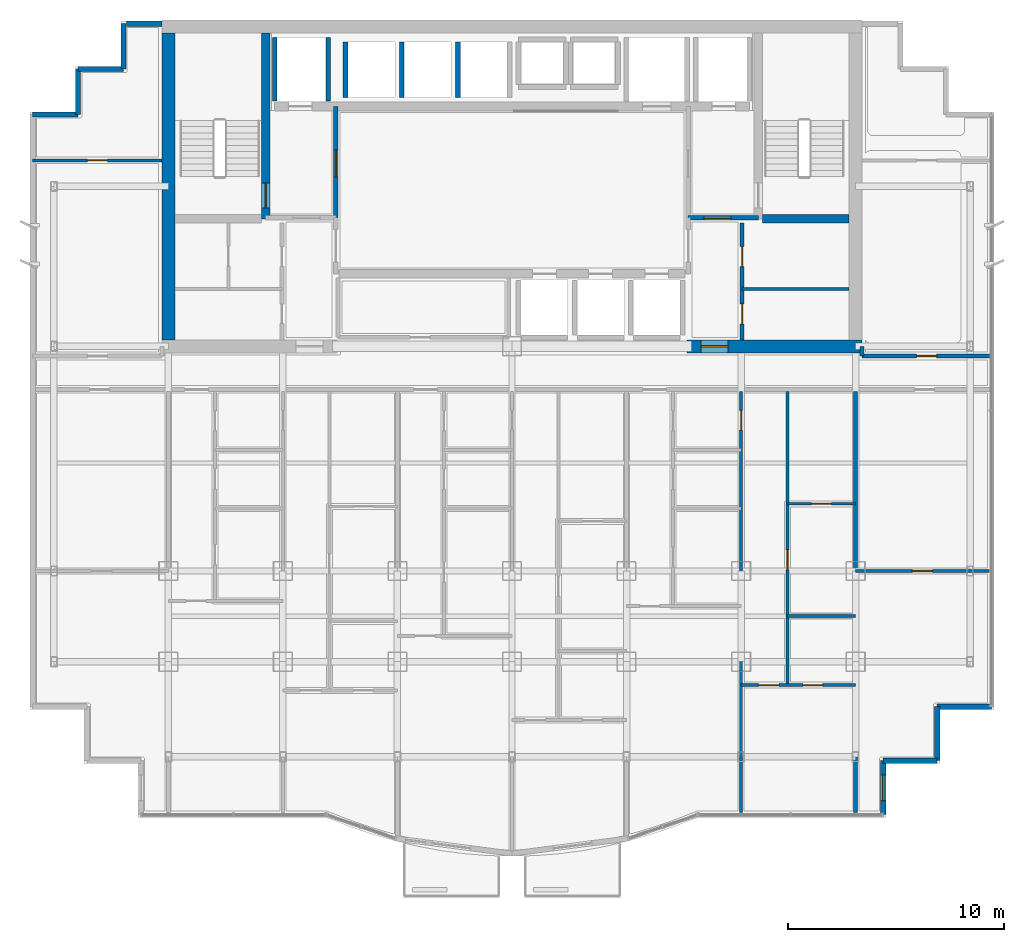
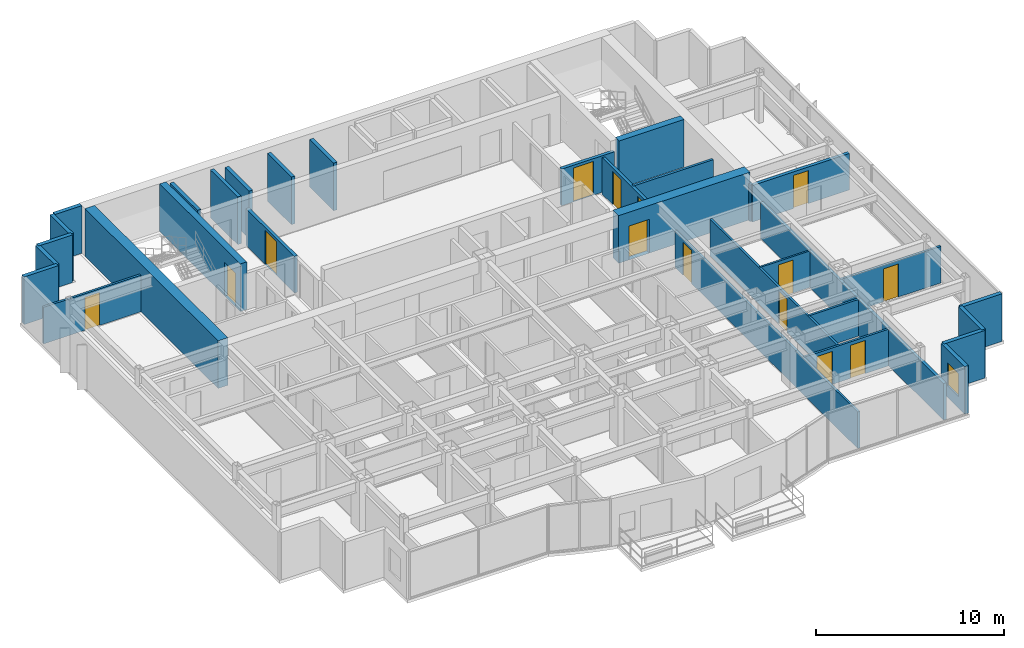
# One storey, part 10 of 13: 32 walls, 14 doors, 1 window, 15 openings.
"""IFC4 building model written with IfcOpenShell, lengths in metres."""

import ifcopenshell
import ifcopenshell.guid

model = None  # the IFC model being written
_history = None  # IfcOwnerHistory: only IFC2X3 demands one
_inside = {}  # id of a spatial element -> (the spatial element, [elements in it])
_under = {}  # id of a project, library or spatial element -> (it, [spatial elements below it])
_declared = {}  # id of a project -> (the project, [libraries it declares])
_typed = {}  # id of a type object -> (the type object, [elements of that type])
_made_of = {}  # id of a material, layer set ... -> (it, [elements and type objects made of it])


def new_model(schema):
    """Start an empty IFC model of exactly this schema.

    Asked for "IFC4X3", IfcOpenShell would pick the latest addendum, in which some entities
    have other attributes; the version numbers below select the first issue.
    IFC2X3 requires an IfcOwnerHistory on every rooted entity: one is made here for all.
    """
    global model, _history
    if schema == "IFC4X3":
        model = ifcopenshell.file(schema_version=(4, 3, 0, 0))
    else:
        model = ifcopenshell.file(schema=schema)
    _inside.clear()
    _under.clear()
    _declared.clear()
    _typed.clear()
    _made_of.clear()
    _history = None
    if model.schema == "IFC2X3":
        org = make("IfcOrganization", Name="unknown")
        user = make(
            "IfcPersonAndOrganization",
            ThePerson=make("IfcPerson", FamilyName="unknown"),
            TheOrganization=org,
        )
        app = make(
            "IfcApplication",
            ApplicationDeveloper=org,
            Version="unknown",
            ApplicationFullName="unknown",
            ApplicationIdentifier="unknown",
        )
        _history = make(
            "IfcOwnerHistory",
            OwningUser=user,
            OwningApplication=app,
            ChangeAction="ADDED",
            CreationDate=0,
        )
    return model


def make(cls, **values):
    """One entity of the class cls with the attributes given. An attribute that is None is left unset."""
    return model.create_entity(
        cls, **{name: value for name, value in values.items() if value is not None}
    )


def rooted(cls, **values):
    """An entity with a GlobalId (a new one), such as an element, a storey or a relation."""
    return make(cls, GlobalId=ifcopenshell.guid.new(), OwnerHistory=_history, **values)


def si_unit(unit_type, name, prefix=None):
    """IfcSIUnit, for example si_unit("LENGTHUNIT", "METRE", prefix="MILLI")."""
    return make("IfcSIUnit", UnitType=unit_type, Prefix=prefix, Name=name)


def assignment(units):
    """IfcUnitAssignment: the units of a project."""
    return None if units is None else make("IfcUnitAssignment", Units=units)


def point(xyz):
    """IfcCartesianPoint."""
    return None if xyz is None else make("IfcCartesianPoint", Coordinates=xyz)


def direction(xyz):
    """IfcDirection."""
    return None if xyz is None else make("IfcDirection", DirectionRatios=xyz)


def frame(location, z_axis=None, x_axis=None):
    """IfcAxis2Placement3D, a coordinate frame: its origin and axes. An axis left out is left unset."""
    return make(
        "IfcAxis2Placement3D",
        Location=point(location),
        Axis=direction(z_axis),
        RefDirection=direction(x_axis),
    )


def frame_2d(location, x_axis=None):
    """IfcAxis2Placement2D, a coordinate frame in the plane: its origin and x axis."""
    return make(
        "IfcAxis2Placement2D", Location=point(location), RefDirection=direction(x_axis)
    )


def origin():
    """The frame at (0, 0, 0) with its axes left unset."""
    return frame((0.0, 0.0, 0.0))


def place(relative_to, where):
    """IfcLocalPlacement: puts the frame where relative to a parent placement (None: the world)."""
    return make(
        "IfcLocalPlacement", PlacementRelTo=relative_to, RelativePlacement=where
    )


def context(
    kind, dimensions, precision=None, world=None, true_north=None, identifier=None
):
    """IfcGeometricRepresentationContext, for example the 3D "Model" context."""
    return make(
        "IfcGeometricRepresentationContext",
        ContextIdentifier=identifier,
        ContextType=kind,
        CoordinateSpaceDimension=dimensions,
        Precision=precision,
        WorldCoordinateSystem=world,
        TrueNorth=true_north,
    )


def subcontext(parent, identifier, kind, view, scale=None):
    """IfcGeometricRepresentationSubContext, for example "Body" below "Model"."""
    return make(
        "IfcGeometricRepresentationSubContext",
        ContextIdentifier=identifier,
        ContextType=kind,
        ParentContext=parent,
        TargetScale=scale,
        TargetView=view,
    )


def project(units=None, contexts=None):
    """IfcProject with its units and contexts."""
    return rooted(
        "IfcProject",
        Name="project",
        RepresentationContexts=contexts,
        UnitsInContext=assignment(units),
    )


def spatial(cls, under=None, at=None, **own):
    """A site, building, storey or space (cls), placed at a placement, below another one or the project."""
    s = rooted(cls, ObjectPlacement=at, **own)
    if under is not None:
        _under.setdefault(under.id(), (under, []))[1].append(s)
    return s


def profile(cls, at=None, kind="AREA", **sizes):
    """A parametric profile (cls). Its sizes go by their IFC names, for example OverallWidth=200.0."""
    return make(cls, ProfileType=kind, Position=at, **sizes)


def rectangle(**sizes):
    """IfcRectangleProfileDef."""
    return profile("IfcRectangleProfileDef", **sizes)


def extrude(swept, where, along, depth):
    """IfcExtrudedAreaSolid: the profile swept, set in the frame where, extruded along a direction by depth."""
    return make(
        "IfcExtrudedAreaSolid",
        SweptArea=swept,
        Position=where,
        ExtrudedDirection=direction(along),
        Depth=depth,
    )


def shape(context_of_items, identifier, shape_type, items):
    """IfcShapeRepresentation: the items that make up one representation, for example the "Body"."""
    return make(
        "IfcShapeRepresentation",
        ContextOfItems=context_of_items,
        RepresentationIdentifier=identifier,
        RepresentationType=shape_type,
        Items=items,
    )


def material(Name=None, Category=None):
    """IfcMaterial."""
    return make("IfcMaterial", Name=Name, Category=Category)


def layer(
    of_material, thickness, ventilated=None, Name=None, Category=None, Priority=None
):
    """IfcMaterialLayer: one layer of a wall or slab, of a material (None: an air gap)."""
    return make(
        "IfcMaterialLayer",
        Material=of_material,
        LayerThickness=thickness,
        IsVentilated=ventilated,
        Name=Name,
        Category=Category,
        Priority=Priority,
    )


def layer_set(layers, Name=None):
    """IfcMaterialLayerSet."""
    return make("IfcMaterialLayerSet", MaterialLayers=layers, LayerSetName=Name)


def made_of(thing, what):
    """Note that an element or type object is made of a material, layer set ...; save() writes the relation."""
    if what is not None:
        _made_of.setdefault(what.id(), (what, []))[1].append(thing)
    return thing


def type_object(cls, material=None, **own):
    """A type object (cls), such as IfcWallType, which elements share."""
    return made_of(rooted(cls, **own), material)


def element(
    cls,
    number,
    at=None,
    inside=None,
    cuts=None,
    type_object=None,
    material=None,
    context=None,
    identifier="Body",
    shape_type=None,
    held_by="IfcProductDefinitionShape",
    body=None,
    shapes=None,
    **own,
):
    """One element of the class cls, such as IfcWall. Its Tag is "e" and its number.

    at: its placement. inside: the storey or other place that contains it. cuts: it is an
    opening in that element (IfcRelVoidsElement). A single representation is given by context,
    identifier, shape_type and body (its items); several are given by shapes. held_by: the class
    of the entity that holds the representations. save() writes the other relations.
    """
    e = rooted(cls, Tag="e%d" % number, ObjectPlacement=at, **own)
    if body is not None:
        shapes = [shape(context, identifier, shape_type, body)]
    if shapes is not None:
        e.Representation = make(held_by, Representations=shapes)
    if inside is not None:
        _inside.setdefault(inside.id(), (inside, []))[1].append(e)
    if cuts is not None:
        rooted(
            "IfcRelVoidsElement", RelatingBuildingElement=cuts, RelatedOpeningElement=e
        )
    if type_object is not None:
        _typed.setdefault(type_object.id(), (type_object, []))[1].append(e)
    return made_of(e, material)


def fill(opening, filler):
    """IfcRelFillsElement: the door or window that sits in an opening."""
    return rooted(
        "IfcRelFillsElement",
        RelatingOpeningElement=opening,
        RelatedBuildingElement=filler,
    )


def aggregate(whole, parts):
    """IfcRelAggregates: a whole, such as a stair, and the parts it consists of."""
    return rooted("IfcRelAggregates", RelatingObject=whole, RelatedObjects=parts)


def save(model, path):
    """Write the relations noted so far, then the file.

    IfcRelAggregates (storeys below a building ...), IfcRelContainedInSpatialStructure (elements
    in a storey), IfcRelDefinesByType, IfcRelAssociatesMaterial and IfcRelDeclares: one each for
    every whole, place, type object, material and project.
    """
    for whole, parts in _under.values():
        aggregate(whole, parts)
    for where, things in _inside.values():
        rooted(
            "IfcRelContainedInSpatialStructure",
            RelatedElements=things,
            RelatingStructure=where,
        )
    for kind, things in _typed.values():
        rooted("IfcRelDefinesByType", RelatedObjects=things, RelatingType=kind)
    for what, things in _made_of.values():
        rooted("IfcRelAssociatesMaterial", RelatedObjects=things, RelatingMaterial=what)
    for by, libraries in _declared.values():
        rooted("IfcRelDeclares", RelatingContext=by, RelatedDefinitions=libraries)
    model.write(path)


model = new_model("IFC4")

# Units and contexts
model_context = context("Model", 3, precision=1e-05, world=origin(), true_north=direction((0.0, 1.0)))
body_context = subcontext(model_context, "Body", "Model", "MODEL_VIEW")
ifc_project = project(units=[si_unit("LENGTHUNIT", "METRE"), si_unit("AREAUNIT", "SQUARE_METRE"), si_unit("VOLUMEUNIT", "CUBIC_METRE"), si_unit("PLANEANGLEUNIT", "RADIAN"), si_unit("MASSUNIT", "GRAM", prefix="KILO")], contexts=[model_context])

# Site, building, storey
site_placement = place(None, origin())
site = spatial("IfcSite", under=ifc_project, at=site_placement, CompositionType="ELEMENT")
building_placement = place(site_placement, origin())
building = spatial("IfcBuilding", under=site, at=building_placement, Name="Qianlan Lanfeng Residences", CompositionType="ELEMENT")
storey_placement = place(building_placement, frame((0.0, 0.0, 159.0)))
storey = spatial("IfcBuildingStorey", under=building, at=storey_placement, Name="L43", CompositionType="ELEMENT", Elevation=159.0)

# Wall, opening, door
ifc_material_1 = material(Name="Concrete C56", Category="concrete")
ifc_layer_1 = layer(ifc_material_1, 0.39990234375)
ifc_layer_set_1 = layer_set([ifc_layer_1], Name="Concrete C56")
wall_type_1 = type_object("IfcWallType", Name="CW-RC-400", PredefinedType="SHEAR", material=ifc_layer_set_1)
wall_1_placement = place(storey_placement, frame((15.10009765625, 31.10009765625, 0.0), z_axis=(0.0, 0.0, 1.0), x_axis=(0.0, 1.0, 0.0)))
wall_1 = element("IfcWall", 1, at=wall_1_placement, inside=storey, type_object=wall_type_1, Name="L43 Core Shear Wall ST1E", PredefinedType="SHEAR", context=body_context, shape_type="SweptSolid", body=[
    extrude(rectangle(XDim=8.599853515625, YDim=0.39990234375, at=frame_2d((4.2998046875, 0.0))), origin(), (0.0, 0.0, 1.0), 3.10009765625),
])
opening_1_placement = place(wall_1_placement, frame((0.510009765625, 0.0, 0.0)))
opening_1 = element("IfcOpeningElement", 2, at=opening_1_placement, cuts=wall_1, Name="Opening L43-D07", PredefinedType="OPENING", context=body_context, shape_type="SweptSolid", body=[
    extrude(rectangle(XDim=1.14990234375, YDim=2.199951171875, at=frame_2d((0.574951171875, 1.10009765625))), frame((0.0, 0.2099609375, 0.0), z_axis=(0.0, -1.0, 0.0), x_axis=(1.0, 0.0, 0.0)), (0.0, 0.0, 1.0), 0.419921875),
])
ifc_material_2 = material(Name="Painted Galvanised Steel Fire Door", Category="steel")
door_type_1 = type_object("IfcDoorType", Name="DT-ST1", OperationType="NOTDEFINED", PredefinedType="DOOR", material=ifc_material_2)
door_1_placement = place(opening_1_placement, frame((1.14990234375, 0.0, 0.0), z_axis=(0.0, 0.0, 1.0), x_axis=(-1.0, 0.0, 0.0)))
door_1 = element("IfcDoor", 3, at=door_1_placement, inside=storey, type_object=door_type_1, Name="L43 Exit Stair ST-1 Door L43-D07 (DT-ST1)", OperationType="SINGLE_SWING_RIGHT", OverallHeight=2.199951171875, OverallWidth=1.14990234375, PredefinedType="DOOR", context=body_context, shape_type="SweptSolid", body=[
    extrude(rectangle(XDim=1.14990234375, YDim=2.199951171875, at=frame_2d((0.574951171875, 1.10009765625))), frame((0.0, 0.02490234375, 0.0), z_axis=(0.0, -1.0, 0.0), x_axis=(1.0, 0.0, 0.0)), (0.0, 0.0, 1.0), 0.050048828125),
])
fill(opening_1, door_1)

# Walls
wall_2_placement = place(storey_placement, frame((38.10009765625, 31.10009765625, 0.0), z_axis=(0.0, 0.0, 1.0), x_axis=(1.0, 0.0, 0.0)))
element("IfcWall", 4, at=wall_2_placement, inside=storey, type_object=wall_type_1, Name="L43 Core Shear Wall ST2S", PredefinedType="SHEAR", context=body_context, shape_type="SweptSolid", body=[
    extrude(rectangle(XDim=4.0, YDim=0.39990234375, at=frame_2d((2.0, 0.0))), origin(), (0.0, 0.0, 1.0), 3.10009765625),
])
ifc_layer_2 = layer(ifc_material_1, 0.60009765625)
ifc_layer_set_2 = layer_set([ifc_layer_2], Name="Concrete C56")
wall_type_2 = type_object("IfcWallType", Name="CW-RC-600", PredefinedType="SHEAR", material=ifc_layer_set_2)
wall_3_placement = place(storey_placement, frame((10.60009765625, 25.5, 0.0), z_axis=(0.0, 0.0, 1.0), x_axis=(0.0, 1.0, 0.0)))
element("IfcWall", 5, at=wall_3_placement, inside=storey, type_object=wall_type_2, Name="L43 Core Shear Wall W", PredefinedType="SHEAR", context=body_context, shape_type="SweptSolid", body=[
    extrude(rectangle(XDim=14.199951171875, YDim=0.60009765625, at=frame_2d((7.10009765625, 0.0))), origin(), (0.0, 0.0, 1.0), 3.10009765625),
])

# Wall, opening, door
wall_4_placement = place(storey_placement, frame((34.60009765625, 25.199951171875, 0.0), z_axis=(0.0, 0.0, 1.0), x_axis=(1.0, 0.0, 0.0)))
wall_4 = element("IfcWall", 6, at=wall_4_placement, inside=storey, type_object=wall_type_2, Name="L43 Core Shear Wall SE", PredefinedType="SHEAR", context=body_context, shape_type="SweptSolid", body=[
    extrude(rectangle(XDim=8.099853515625, YDim=0.60009765625, at=frame_2d((4.0498046875, 0.0))), origin(), (0.0, 0.0, 1.0), 3.10009765625),
])
opening_2_placement = place(wall_4_placement, frame((0.64990234375, 0.0, 0.0)))
opening_2 = element("IfcOpeningElement", 7, at=opening_2_placement, cuts=wall_4, Name="Opening L43-D02", PredefinedType="OPENING", context=body_context, shape_type="SweptSolid", body=[
    extrude(rectangle(XDim=1.25, YDim=2.199951171875, at=frame_2d((0.625, 1.10009765625))), frame((0.0, 0.31005859375, 0.0), z_axis=(0.0, -1.0, 0.0), x_axis=(1.0, 0.0, 0.0)), (0.0, 0.0, 1.0), 0.6201171875),
])
door_type_2 = type_object("IfcDoorType", Name="DT-FFL", OperationType="NOTDEFINED", PredefinedType="DOOR", material=ifc_material_2)
door_2_placement = place(opening_2_placement, frame((1.25, 0.0, 0.0), z_axis=(0.0, 0.0, 1.0), x_axis=(-1.0, 0.0, 0.0)))
door_2 = element("IfcDoor", 8, at=door_2_placement, inside=storey, type_object=door_type_2, Name="L43 East Core Lobby Smoke Door L43-D02 (DT-FFL)", OperationType="SINGLE_SWING_LEFT", OverallHeight=2.199951171875, OverallWidth=1.25, PredefinedType="DOOR", context=body_context, shape_type="SweptSolid", body=[
    extrude(rectangle(XDim=1.25, YDim=2.199951171875, at=frame_2d((0.625, 1.10009765625))), frame((0.0, 0.02490234375, 0.0), z_axis=(0.0, -1.0, 0.0), x_axis=(1.0, 0.0, 0.0)), (0.0, 0.0, 1.0), 0.050048828125),
])
fill(opening_2, door_2)

# Wall, opening, window
ifc_material_3 = material(Name="Concrete C42", Category="concrete")
ifc_layer_3 = layer(ifc_material_3, 0.239990234375)
ifc_layer_set_3 = layer_set([ifc_layer_3], Name="Concrete C42")
wall_type_3 = type_object("IfcWallType", Name="EW-240", PredefinedType="SOLIDWALL", material=ifc_layer_set_3)
wall_5_placement = place(storey_placement, frame((43.679931640625, 3.52001953125, 0.0), z_axis=(0.0, 0.0, 1.0), x_axis=(0.0, 1.0, 0.0)))
wall_5 = element("IfcWall", 9, at=wall_5_placement, inside=storey, type_object=wall_type_3, Name="L43 Exterior Facade Spandrel Wall 7", PredefinedType="SOLIDWALL", context=body_context, shape_type="SweptSolid", body=[
    extrude(rectangle(XDim=2.5, YDim=0.239990234375, at=frame_2d((1.25, 0.0))), origin(), (0.0, 0.0, 1.0), 3.10009765625),
])
opening_3_placement = place(wall_5_placement, frame((0.64990234375, 0.0, 0.75)))
opening_3 = element("IfcOpeningElement", 10, at=opening_3_placement, cuts=wall_5, Name="Opening W-03", PredefinedType="OPENING", context=body_context, shape_type="SweptSolid", body=[
    extrude(rectangle(XDim=1.199951171875, YDim=1.5, at=frame_2d((0.60009765625, 0.75))), frame((0.0, 0.1298828125, 0.0), z_axis=(0.0, -1.0, 0.0), x_axis=(1.0, 0.0, 0.0)), (0.0, 0.0, 1.0), 0.260009765625),
])
ifc_material_4 = material(Name="Anodised Bronze Aluminium Framed Double Glazing", Category="aluminium")
window_type = type_object("IfcWindowType", Name="W-03", PartitioningType="SINGLE_PANEL", PredefinedType="WINDOW", material=ifc_material_4)
window_placement = place(opening_3_placement, origin())
window = element("IfcWindow", 11, at=window_placement, inside=storey, type_object=window_type, Name="L43 Facade Punched Window W-03", OverallHeight=1.5, OverallWidth=1.199951171875, PartitioningType="SINGLE_PANEL", PredefinedType="WINDOW", context=body_context, shape_type="SweptSolid", body=[
    extrude(rectangle(XDim=1.199951171875, YDim=1.5, at=frame_2d((0.60009765625, 0.75))), frame((0.0, 0.030029296875, 0.0), z_axis=(0.0, -1.0, 0.0), x_axis=(1.0, 0.0, 0.0)), (0.0, 0.0, 1.0), 0.06005859375),
])
fill(opening_3, window)

# Walls
for number, where, z_axis, x_axis, name in (
    (12, (43.679931640625, 6.02001953125, 0.0), (0.0, 0.0, 1.0), (1.0, 0.0, 0.0), "L43 Exterior Facade Spandrel Wall 8"),
    (13, (46.179931640625, 6.02001953125, 0.0), (0.0, 0.0, 1.0), (0.0, 1.0, 0.0), "L43 Exterior Facade Spandrel Wall 9"),
    (14, (46.179931640625, 8.52001953125, 0.0), (0.0, 0.0, 1.0), (1.0, 0.0, 0.0), "L43 Exterior Facade Spandrel Wall 10"),
):
    element("IfcWall", number, at=place(storey_placement, frame(where, z_axis=z_axis, x_axis=x_axis)), inside=storey, type_object=wall_type_3, Name=name, PredefinedType="SOLIDWALL", context=body_context, shape_type="SweptSolid", body=[
        extrude(rectangle(XDim=2.5, YDim=0.239990234375, at=frame_2d((1.25, 0.0))), origin(), (0.0, 0.0, 1.0), 3.10009765625),
    ])
wall_6_placement = place(storey_placement, frame((10.300048828125, 40.1298828125, 0.0), z_axis=(0.0, 0.0, 1.0), x_axis=(-1.0, 0.0, 0.0)))
element("IfcWall", 15, at=wall_6_placement, inside=storey, type_object=wall_type_3, Name="L43 North Wing Exterior Wall W", PredefinedType="SOLIDWALL", context=body_context, shape_type="SweptSolid", body=[
    extrude(rectangle(XDim=1.650146484375, YDim=0.239990234375, at=frame_2d((0.8251953125, 0.0))), origin(), (0.0, 0.0, 1.0), 3.10009765625),
])
wall_7_placement = place(storey_placement, frame((8.52001953125, 40.1298828125, 0.0), z_axis=(0.0, 0.0, 1.0), x_axis=(0.0, -1.0, 0.0)))
element("IfcWall", 16, at=wall_7_placement, inside=storey, type_object=wall_type_3, Name="L43 Exterior Facade Spandrel Wall 17", PredefinedType="SOLIDWALL", context=body_context, shape_type="SweptSolid", body=[
    extrude(rectangle(XDim=2.099853515625, YDim=0.239990234375, at=frame_2d((1.0498046875, 0.0))), origin(), (0.0, 0.0, 1.0), 3.10009765625),
])
for number, where, z_axis, x_axis, name in (
    (17, (8.52001953125, 38.030029296875, 0.0), (0.0, 0.0, 1.0), (-1.0, 0.0, 0.0), "L43 Exterior Facade Spandrel Wall 18"),
    (18, (6.419921875, 38.030029296875, 0.0), (0.0, 0.0, 1.0), (0.0, -1.0, 0.0), "L43 Exterior Facade Spandrel Wall 19"),
):
    element("IfcWall", number, at=place(storey_placement, frame(where, z_axis=z_axis, x_axis=x_axis)), inside=storey, type_object=wall_type_3, Name=name, PredefinedType="SOLIDWALL", context=body_context, shape_type="SweptSolid", body=[
        extrude(rectangle(XDim=2.10009765625, YDim=0.239990234375, at=frame_2d((1.050048828125, 0.0))), origin(), (0.0, 0.0, 1.0), 3.10009765625),
    ])
wall_8_placement = place(storey_placement, frame((6.419921875, 35.929931640625, 0.0), z_axis=(0.0, 0.0, 1.0), x_axis=(-1.0, 0.0, 0.0)))
element("IfcWall", 19, at=wall_8_placement, inside=storey, type_object=wall_type_3, Name="L43 Exterior Facade Spandrel Wall 20", PredefinedType="SOLIDWALL", context=body_context, shape_type="SweptSolid", body=[
    extrude(rectangle(XDim=2.099853515625, YDim=0.239990234375, at=frame_2d((1.0498046875, 0.0))), origin(), (0.0, 0.0, 1.0), 3.10009765625),
])

# Wall, opening, door
ifc_material_5 = material(Name="Demountable Acoustic Framing Partition 110 mm")
ifc_layer_4 = layer(ifc_material_5, 0.110107421875)
ifc_layer_set_4 = layer_set([ifc_layer_4], Name="Demountable Acoustic Framing Partition 110 mm")
wall_type_4 = type_object("IfcWallType", Name="PW-110", PredefinedType="MOVABLE", material=ifc_layer_set_4)
wall_9_placement = place(storey_placement, frame((39.25, 17.909912109375, 0.0), z_axis=(0.0, 0.0, 1.0), x_axis=(1.0, 0.0, 0.0)))
wall_9 = element("IfcWall", 20, at=wall_9_placement, inside=storey, type_object=wall_type_4, Name="L43 U03 Wardrobe Split", PredefinedType="MOVABLE", context=body_context, shape_type="SweptSolid", body=[
    extrude(rectangle(XDim=3.14990234375, YDim=0.110107421875, at=frame_2d((1.574951171875, 0.0))), origin(), (0.0, 0.0, 1.0), 2.3798828125),
])
opening_4_placement = place(wall_9_placement, frame((1.114990234375, 0.0, 0.0)))
opening_4 = element("IfcOpeningElement", 21, at=opening_4_placement, cuts=wall_9, Name="Opening L43-D46", PredefinedType="OPENING", context=body_context, shape_type="SweptSolid", body=[
    extrude(rectangle(XDim=0.919921875, YDim=2.14990234375, at=frame_2d((0.4599609375, 1.074951171875))), frame((0.0, 0.06494140625, 0.0), z_axis=(0.0, -1.0, 0.0), x_axis=(1.0, 0.0, 0.0)), (0.0, 0.0, 1.0), 0.130126953125),
])
ifc_material_6 = material(Name="Glazed Timber Kitchen/Study Door", Category="wood")
door_type_3 = type_object("IfcDoorType", Name="DT-INT", OperationType="NOTDEFINED", PredefinedType="DOOR", material=ifc_material_6)
door_3_placement = place(opening_4_placement, origin())
door_3 = element("IfcDoor", 22, at=door_3_placement, inside=storey, type_object=door_type_3, Name="L43 U03 Dressing Inner Door L43-D46 (DT-INT)", OperationType="SINGLE_SWING_LEFT", OverallHeight=2.14990234375, OverallWidth=0.919921875, PredefinedType="DOOR", context=body_context, shape_type="SweptSolid", body=[
    extrude(rectangle(XDim=0.919921875, YDim=2.14990234375, at=frame_2d((0.4599609375, 1.074951171875))), frame((0.0, 0.02490234375, 0.0), z_axis=(0.0, -1.0, 0.0), x_axis=(1.0, 0.0, 0.0)), (0.0, 0.0, 1.0), 0.050048828125),
])
fill(opening_4, door_3)

ifc_material_7 = material(Name="Moisture-Resistant Gypsum Partition 135 mm")
ifc_layer_5 = layer(ifc_material_7, 0.135009765625)
ifc_layer_set_5 = layer_set([ifc_layer_5], Name="Moisture-Resistant Gypsum Partition 135 mm")
wall_type_5 = type_object("IfcWallType", Name="PW-135", PredefinedType="PARTITIONING", material=ifc_layer_set_5)
wall_10_placement = place(storey_placement, frame((37.10009765625, 3.6201171875, 0.0), z_axis=(0.0, 0.0, 1.0), x_axis=(0.0, 1.0, 0.0)))
wall_10 = element("IfcWall", 23, at=wall_10_placement, inside=storey, type_object=wall_type_5, Name="L43 U03 Bay Spine Wall 1", PredefinedType="PARTITIONING", context=body_context, shape_type="SweptSolid", body=[
    extrude(rectangle(XDim=19.47998046875, YDim=0.135009765625, at=frame_2d((9.739990234375, 0.0))), origin(), (0.0, 0.0, 1.0), 2.3798828125),
])
opening_5_placement = place(wall_10_placement, frame((17.695068359375, 0.0, 0.0)))
opening_5 = element("IfcOpeningElement", 24, at=opening_5_placement, cuts=wall_10, Name="Opening L43-D38", PredefinedType="OPENING", context=body_context, shape_type="SweptSolid", body=[
    extrude(rectangle(XDim=0.919921875, YDim=2.14990234375, at=frame_2d((0.4599609375, 1.074951171875))), frame((0.0, 0.07763671875, 0.0), z_axis=(0.0, -1.0, 0.0), x_axis=(1.0, 0.0, 0.0)), (0.0, 0.0, 1.0), 0.155029296875),
])
door_4_placement = place(opening_5_placement, origin())
door_4 = element("IfcDoor", 25, at=door_4_placement, inside=storey, type_object=door_type_3, Name="L43 U03 Internal Hall Door L43-D38 (DT-INT)", OperationType="SINGLE_SWING_LEFT", OverallHeight=2.14990234375, OverallWidth=0.919921875, PredefinedType="DOOR", context=body_context, shape_type="SweptSolid", body=[
    extrude(rectangle(XDim=0.919921875, YDim=2.14990234375, at=frame_2d((0.4599609375, 1.074951171875))), frame((0.0, 0.02490234375, 0.0), z_axis=(0.0, -1.0, 0.0), x_axis=(1.0, 0.0, 0.0)), (0.0, 0.0, 1.0), 0.050048828125),
])
fill(opening_5, door_4)

# Wall, openings, doors
wall_11_placement = place(storey_placement, frame((37.10009765625, 9.52001953125, 0.0), z_axis=(0.0, 0.0, 1.0), x_axis=(1.0, 0.0, 0.0)))
wall_11 = element("IfcWall", 26, at=wall_11_placement, inside=storey, type_object=wall_type_5, Name="L43 U03 Master Bedroom North Wall", PredefinedType="PARTITIONING", context=body_context, shape_type="SweptSolid", body=[
    extrude(rectangle(XDim=5.2998046875, YDim=0.135009765625, at=frame_2d((2.64990234375, 0.0))), origin(), (0.0, 0.0, 1.0), 2.3798828125),
])
opening_6_placement = place(wall_11_placement, frame((0.800048828125, 0.0, 0.0)))
opening_6 = element("IfcOpeningElement", 27, at=opening_6_placement, cuts=wall_11, Name="Opening L43-D43", PredefinedType="OPENING", context=body_context, shape_type="SweptSolid", body=[
    extrude(rectangle(XDim=0.949951171875, YDim=2.14990234375, at=frame_2d((0.47509765625, 1.074951171875))), frame((0.0, 0.07763671875, 0.0), z_axis=(0.0, -1.0, 0.0), x_axis=(1.0, 0.0, 0.0)), (0.0, 0.0, 1.0), 0.155029296875),
])
opening_7_placement = place(wall_11_placement, frame((2.875, 0.0, 0.0)))
opening_7 = element("IfcOpeningElement", 28, at=opening_7_placement, cuts=wall_11, Name="Opening L43-D44", PredefinedType="OPENING", context=body_context, shape_type="SweptSolid", body=[
    extrude(rectangle(XDim=0.89990234375, YDim=2.14990234375, at=frame_2d((0.449951171875, 1.074951171875))), frame((0.0, 0.07763671875, 0.0), z_axis=(0.0, -1.0, 0.0), x_axis=(1.0, 0.0, 0.0)), (0.0, 0.0, 1.0), 0.155029296875),
])
ifc_material_8 = material(Name="Painted Solid-Core Timber Leaf", Category="wood")
door_type_4 = type_object("IfcDoorType", Name="DT-BED", OperationType="NOTDEFINED", PredefinedType="DOOR", material=ifc_material_8)
door_5_placement = place(opening_6_placement, frame((0.949951171875, 0.0, 0.0), z_axis=(0.0, 0.0, 1.0), x_axis=(-1.0, 0.0, 0.0)))
door_5 = element("IfcDoor", 29, at=door_5_placement, inside=storey, type_object=door_type_4, Name="L43 U03 Master Bedroom Door L43-D43 (DT-BED)", OperationType="SINGLE_SWING_LEFT", OverallHeight=2.14990234375, OverallWidth=0.949951171875, PredefinedType="DOOR", context=body_context, shape_type="SweptSolid", body=[
    extrude(rectangle(XDim=0.949951171875, YDim=2.14990234375, at=frame_2d((0.47509765625, 1.074951171875))), frame((0.0, 0.02490234375, 0.0), z_axis=(0.0, -1.0, 0.0), x_axis=(1.0, 0.0, 0.0)), (0.0, 0.0, 1.0), 0.050048828125),
])
fill(opening_6, door_5)
ifc_material_9 = material(Name="Moisture-Resistant Timber Leaf", Category="wood")
door_type_5 = type_object("IfcDoorType", Name="DT-WC", OperationType="NOTDEFINED", PredefinedType="DOOR", material=ifc_material_9)
door_6_placement = place(opening_7_placement, frame((0.89990234375, 0.0, 0.0), z_axis=(0.0, 0.0, 1.0), x_axis=(-1.0, 0.0, 0.0)))
door_6 = element("IfcDoor", 30, at=door_6_placement, inside=storey, type_object=door_type_5, Name="L43 U03 En-Suite Bathroom Door L43-D44 (DT-WC)", OperationType="SINGLE_SWING_RIGHT", OverallHeight=2.14990234375, OverallWidth=0.89990234375, PredefinedType="DOOR", context=body_context, shape_type="SweptSolid", body=[
    extrude(rectangle(XDim=0.89990234375, YDim=2.14990234375, at=frame_2d((0.449951171875, 1.074951171875))), frame((0.0, 0.02490234375, 0.0), z_axis=(0.0, -1.0, 0.0), x_axis=(1.0, 0.0, 0.0)), (0.0, 0.0, 1.0), 0.050048828125),
])
fill(opening_7, door_6)

# Wall, opening, door
wall_12_placement = place(storey_placement, frame((39.25, 9.52001953125, 0.0), z_axis=(0.0, 0.0, 1.0), x_axis=(0.0, 1.0, 0.0)))
wall_12 = element("IfcWall", 31, at=wall_12_placement, inside=storey, type_object=wall_type_5, Name="L43 U03 Master Passage Wall", PredefinedType="PARTITIONING", context=body_context, shape_type="SweptSolid", body=[
    extrude(rectangle(XDim=13.580078125, YDim=0.135009765625, at=frame_2d((6.7900390625, 0.0))), origin(), (0.0, 0.0, 1.0), 2.3798828125),
])
opening_8_placement = place(wall_12_placement, frame((5.3349609375, 0.0, 0.0)))
opening_8 = element("IfcOpeningElement", 32, at=opening_8_placement, cuts=wall_12, Name="Opening L43-D45", PredefinedType="OPENING", context=body_context, shape_type="SweptSolid", body=[
    extrude(rectangle(XDim=0.919921875, YDim=2.14990234375, at=frame_2d((0.4599609375, 1.074951171875))), frame((0.0, 0.07763671875, 0.0), z_axis=(0.0, -1.0, 0.0), x_axis=(1.0, 0.0, 0.0)), (0.0, 0.0, 1.0), 0.155029296875),
])
door_7_placement = place(opening_8_placement, origin())
door_7 = element("IfcDoor", 33, at=door_7_placement, inside=storey, type_object=door_type_3, Name="L43 U03 Wardrobe Door L43-D45 (DT-INT)", OperationType="SINGLE_SWING_RIGHT", OverallHeight=2.14990234375, OverallWidth=0.919921875, PredefinedType="DOOR", context=body_context, shape_type="SweptSolid", body=[
    extrude(rectangle(XDim=0.919921875, YDim=2.14990234375, at=frame_2d((0.4599609375, 1.074951171875))), frame((0.0, 0.02490234375, 0.0), z_axis=(0.0, -1.0, 0.0), x_axis=(1.0, 0.0, 0.0)), (0.0, 0.0, 1.0), 0.050048828125),
])
fill(opening_8, door_7)

# Wall
wall_13_placement = place(storey_placement, frame((39.25, 12.719970703125, 0.0), z_axis=(0.0, 0.0, 1.0), x_axis=(1.0, 0.0, 0.0)))
element("IfcWall", 34, at=wall_13_placement, inside=storey, type_object=wall_type_5, Name="L43 U03 En-Suite North Wall", PredefinedType="PARTITIONING", context=body_context, shape_type="SweptSolid", body=[
    extrude(rectangle(XDim=3.14990234375, YDim=0.135009765625, at=frame_2d((1.574951171875, 0.0))), origin(), (0.0, 0.0, 1.0), 2.3798828125),
])

# Wall, opening, door
wall_14_placement = place(storey_placement, frame((42.39990234375, 14.800048828125, 0.0), z_axis=(0.0, 0.0, 1.0), x_axis=(1.0, 0.0, 0.0)))
wall_14 = element("IfcWall", 35, at=wall_14_placement, inside=storey, type_object=wall_type_5, Name="L43 SEP Mid Partition", PredefinedType="PARTITIONING", context=body_context, shape_type="SweptSolid", body=[
    extrude(rectangle(XDim=6.18017578125, YDim=0.135009765625, at=frame_2d((3.090087890625, 0.0))), origin(), (0.0, 0.0, 1.0), 2.3798828125),
])
opening_9_placement = place(wall_14_placement, frame((2.6298828125, 0.0, 0.0)))
opening_9 = element("IfcOpeningElement", 36, at=opening_9_placement, cuts=wall_14, Name="Opening L43-D49", PredefinedType="OPENING", context=body_context, shape_type="SweptSolid", body=[
    extrude(rectangle(XDim=0.919921875, YDim=2.14990234375, at=frame_2d((0.4599609375, 1.074951171875))), frame((0.0, 0.07763671875, 0.0), z_axis=(0.0, -1.0, 0.0), x_axis=(1.0, 0.0, 0.0)), (0.0, 0.0, 1.0), 0.155029296875),
])
door_8_placement = place(opening_9_placement, origin())
door_8 = element("IfcDoor", 37, at=door_8_placement, inside=storey, type_object=door_type_3, Name="L43 SEP Inner Door L43-D49 (DT-INT)", OperationType="SINGLE_SWING_RIGHT", OverallHeight=2.14990234375, OverallWidth=0.919921875, PredefinedType="DOOR", context=body_context, shape_type="SweptSolid", body=[
    extrude(rectangle(XDim=0.919921875, YDim=2.14990234375, at=frame_2d((0.4599609375, 1.074951171875))), frame((0.0, 0.02490234375, 0.0), z_axis=(0.0, -1.0, 0.0), x_axis=(1.0, 0.0, 0.0)), (0.0, 0.0, 1.0), 0.050048828125),
])
fill(opening_9, door_8)

wall_15_placement = place(storey_placement, frame((4.320068359375, 33.800048828125, 0.0), z_axis=(0.0, 0.0, 1.0), x_axis=(1.0, 0.0, 0.0)))
wall_15 = element("IfcWall", 38, at=wall_15_placement, inside=storey, type_object=wall_type_5, Name="L43 WW North Wing Wall", PredefinedType="PARTITIONING", context=body_context, shape_type="SweptSolid", body=[
    extrude(rectangle(XDim=5.97998046875, YDim=0.135009765625, at=frame_2d((2.989990234375, 0.0))), origin(), (0.0, 0.0, 1.0), 2.3798828125),
])
opening_10_placement = place(wall_15_placement, frame((2.530029296875, 0.0, 0.0)))
opening_10 = element("IfcOpeningElement", 39, at=opening_10_placement, cuts=wall_15, Name="Opening L43-D51", PredefinedType="OPENING", context=body_context, shape_type="SweptSolid", body=[
    extrude(rectangle(XDim=0.919921875, YDim=2.14990234375, at=frame_2d((0.4599609375, 1.074951171875))), frame((0.0, 0.07763671875, 0.0), z_axis=(0.0, -1.0, 0.0), x_axis=(1.0, 0.0, 0.0)), (0.0, 0.0, 1.0), 0.155029296875),
])
door_9_placement = place(opening_10_placement, origin())
door_9 = element("IfcDoor", 40, at=door_9_placement, inside=storey, type_object=door_type_3, Name="L43 WW Inner Salon Door L43-D51 (DT-INT)", OperationType="SINGLE_SWING_RIGHT", OverallHeight=2.14990234375, OverallWidth=0.919921875, PredefinedType="DOOR", context=body_context, shape_type="SweptSolid", body=[
    extrude(rectangle(XDim=0.919921875, YDim=2.14990234375, at=frame_2d((0.4599609375, 1.074951171875))), frame((0.0, 0.02490234375, 0.0), z_axis=(0.0, -1.0, 0.0), x_axis=(1.0, 0.0, 0.0)), (0.0, 0.0, 1.0), 0.050048828125),
])
fill(opening_10, door_9)

# Wall
ifc_material_10 = material(Name="Acoustic Drywall Partition 150 mm")
ifc_layer_6 = layer(ifc_material_10, 0.14990234375)
ifc_layer_set_6 = layer_set([ifc_layer_6], Name="Acoustic Drywall Partition 150 mm")
wall_type_6 = type_object("IfcWallType", Name="PW-150", PredefinedType="PARTITIONING", material=ifc_layer_set_6)
wall_16_placement = place(storey_placement, frame((37.14990234375, 27.85009765625, 0.0), z_axis=(0.0, 0.0, 1.0), x_axis=(1.0, 0.0, 0.0)))
element("IfcWall", 41, at=wall_16_placement, inside=storey, type_object=wall_type_6, Name="L43 Core East H4", PredefinedType="PARTITIONING", context=body_context, shape_type="SweptSolid", body=[
    extrude(rectangle(XDim=4.9501953125, YDim=0.14990234375, at=frame_2d((2.47509765625, 0.0))), origin(), (0.0, 0.0, 1.0), 2.3798828125),
])

# Wall, openings, doors
ifc_material_11 = material(Name="Double-Layer Acoustic Gypsum Stud Wall 180 mm")
ifc_layer_7 = layer(ifc_material_11, 0.179931640625)
ifc_layer_set_7 = layer_set([ifc_layer_7], Name="Double-Layer Acoustic Gypsum Stud Wall 180 mm")
wall_type_7 = type_object("IfcWallType", Name="PW-180", PredefinedType="PARTITIONING", material=ifc_layer_set_7)
wall_17_placement = place(storey_placement, frame((37.14990234375, 25.5, 0.0), z_axis=(0.0, 0.0, 1.0), x_axis=(0.0, 1.0, 0.0)))
wall_17 = element("IfcWall", 42, at=wall_17_placement, inside=storey, type_object=wall_type_7, Name="L43 Core East Service Room Wall", PredefinedType="PARTITIONING", context=body_context, shape_type="SweptSolid", body=[
    extrude(rectangle(XDim=5.39990234375, YDim=0.179931640625, at=frame_2d((2.699951171875, 0.0))), origin(), (0.0, 0.0, 1.0), 2.3798828125),
])
opening_11_placement = place(wall_17_placement, frame((0.739990234375, 0.0, 0.0)))
opening_11 = element("IfcOpeningElement", 43, at=opening_11_placement, cuts=wall_17, Name="Opening L43-D12", PredefinedType="OPENING", context=body_context, shape_type="SweptSolid", body=[
    extrude(rectangle(XDim=0.919921875, YDim=2.14990234375, at=frame_2d((0.4599609375, 1.074951171875))), frame((0.0, 0.10009765625, 0.0), z_axis=(0.0, -1.0, 0.0), x_axis=(1.0, 0.0, 0.0)), (0.0, 0.0, 1.0), 0.199951171875),
])
opening_12_placement = place(wall_17_placement, frame((3.389892578125, 0.0, 0.0)))
opening_12 = element("IfcOpeningElement", 44, at=opening_12_placement, cuts=wall_17, Name="Opening L43-D13", PredefinedType="OPENING", context=body_context, shape_type="SweptSolid", body=[
    extrude(rectangle(XDim=0.919921875, YDim=2.14990234375, at=frame_2d((0.4599609375, 1.074951171875))), frame((0.0, 0.10009765625, 0.0), z_axis=(0.0, -1.0, 0.0), x_axis=(1.0, 0.0, 0.0)), (0.0, 0.0, 1.0), 0.199951171875),
])
door_10_placement = place(opening_11_placement, origin())
door_10 = element("IfcDoor", 45, at=door_10_placement, inside=storey, type_object=door_type_3, Name="L43 Mail Closet Door L43-D12 (DT-INT)", OperationType="SINGLE_SWING_LEFT", OverallHeight=2.14990234375, OverallWidth=0.919921875, PredefinedType="DOOR", context=body_context, shape_type="SweptSolid", body=[
    extrude(rectangle(XDim=0.919921875, YDim=2.14990234375, at=frame_2d((0.4599609375, 1.074951171875))), frame((0.0, 0.02490234375, 0.0), z_axis=(0.0, -1.0, 0.0), x_axis=(1.0, 0.0, 0.0)), (0.0, 0.0, 1.0), 0.050048828125),
])
fill(opening_11, door_10)
door_11_placement = place(opening_12_placement, origin())
door_11 = element("IfcDoor", 46, at=door_11_placement, inside=storey, type_object=door_type_3, Name="L43 Refuse Closet Door L43-D13 (DT-INT)", OperationType="SINGLE_SWING_RIGHT", OverallHeight=2.14990234375, OverallWidth=0.919921875, PredefinedType="DOOR", context=body_context, shape_type="SweptSolid", body=[
    extrude(rectangle(XDim=0.919921875, YDim=2.14990234375, at=frame_2d((0.4599609375, 1.074951171875))), frame((0.0, 0.02490234375, 0.0), z_axis=(0.0, -1.0, 0.0), x_axis=(1.0, 0.0, 0.0)), (0.0, 0.0, 1.0), 0.050048828125),
])
fill(opening_12, door_11)

# Wall
wall_18_placement = place(storey_placement, frame((42.39990234375, 3.6201171875, 0.0), z_axis=(0.0, 0.0, 1.0), x_axis=(0.0, 1.0, 0.0)))
element("IfcWall", 47, at=wall_18_placement, inside=storey, type_object=wall_type_7, Name="L43 Wing Boundary Party Wall E0", PredefinedType="PARTITIONING", context=body_context, shape_type="SweptSolid", body=[
    extrude(rectangle(XDim=19.47998046875, YDim=0.179931640625, at=frame_2d((9.739990234375, 0.0))), origin(), (0.0, 0.0, 1.0), 2.3798828125),
])

# Wall, opening, door
ifc_material_12 = material(Name="Autoclaved Aerated Concrete Blockwork 200 mm", Category="masonry")
ifc_layer_8 = layer(ifc_material_12, 0.199951171875)
ifc_layer_set_8 = layer_set([ifc_layer_8], Name="Autoclaved Aerated Concrete Blockwork 200 mm")
wall_type_8 = type_object("IfcWallType", Name="PW-200", PredefinedType="PARTITIONING", material=ifc_layer_set_8)
wall_19_placement = place(storey_placement, frame((18.35009765625, 31.14990234375, 0.0), z_axis=(0.0, 0.0, 1.0), x_axis=(0.0, 1.0, 0.0)))
wall_19 = element("IfcWall", 48, at=wall_19_placement, inside=storey, type_object=wall_type_8, Name="L43 Firefighting Lobby 1 East Wall", PredefinedType="PARTITIONING", context=body_context, shape_type="SweptSolid", body=[
    extrude(rectangle(XDim=5.150146484375, YDim=0.199951171875, at=frame_2d((2.5751953125, 0.0))), origin(), (0.0, 0.0, 1.0), 2.3798828125),
])
opening_13_placement = place(wall_19_placement, frame((1.875, 0.0, 0.0)))
opening_13 = element("IfcOpeningElement", 49, at=opening_13_placement, cuts=wall_19, Name="Opening L43-D04", PredefinedType="OPENING", context=body_context, shape_type="SweptSolid", body=[
    extrude(rectangle(XDim=1.25, YDim=2.199951171875, at=frame_2d((0.625, 1.10009765625))), frame((0.0, 0.10986328125, 0.0), z_axis=(0.0, -1.0, 0.0), x_axis=(1.0, 0.0, 0.0)), (0.0, 0.0, 1.0), 0.219970703125),
])
door_12_placement = place(opening_13_placement, origin())
door_12 = element("IfcDoor", 50, at=door_12_placement, inside=storey, type_object=door_type_2, Name="L43 Firefighting Lobby 1 Lift Lobby Door L43-D04 (DT-FFL)", OperationType="SINGLE_SWING_LEFT", OverallHeight=2.199951171875, OverallWidth=1.25, PredefinedType="DOOR", context=body_context, shape_type="SweptSolid", body=[
    extrude(rectangle(XDim=1.25, YDim=2.199951171875, at=frame_2d((0.625, 1.10009765625))), frame((0.0, 0.02490234375, 0.0), z_axis=(0.0, -1.0, 0.0), x_axis=(1.0, 0.0, 0.0)), (0.0, 0.0, 1.0), 0.050048828125),
])
fill(opening_13, door_12)

wall_20_placement = place(storey_placement, frame((34.64990234375, 31.14990234375, 0.0), z_axis=(0.0, 0.0, 1.0), x_axis=(1.0, 0.0, 0.0)))
wall_20 = element("IfcWall", 51, at=wall_20_placement, inside=storey, type_object=wall_type_8, Name="L43 Firefighting Lobby 2 South Wall", PredefinedType="PARTITIONING", context=body_context, shape_type="SweptSolid", body=[
    extrude(rectangle(XDim=3.25, YDim=0.199951171875, at=frame_2d((1.625, 0.0))), origin(), (0.0, 0.0, 1.0), 2.3798828125),
])
opening_14_placement = place(wall_20_placement, frame((0.72509765625, 0.0, 0.0)))
opening_14 = element("IfcOpeningElement", 52, at=opening_14_placement, cuts=wall_20, Name="Opening L43-D05", PredefinedType="OPENING", context=body_context, shape_type="SweptSolid", body=[
    extrude(rectangle(XDim=1.25, YDim=2.199951171875, at=frame_2d((0.625, 1.10009765625))), frame((0.0, 0.10986328125, 0.0), z_axis=(0.0, -1.0, 0.0), x_axis=(1.0, 0.0, 0.0)), (0.0, 0.0, 1.0), 0.219970703125),
])
door_13_placement = place(opening_14_placement, origin())
door_13 = element("IfcDoor", 53, at=door_13_placement, inside=storey, type_object=door_type_2, Name="L43 Firefighting Lobby 2 Entry Door L43-D05 (DT-FFL)", OperationType="SINGLE_SWING_RIGHT", OverallHeight=2.199951171875, OverallWidth=1.25, PredefinedType="DOOR", context=body_context, shape_type="SweptSolid", body=[
    extrude(rectangle(XDim=1.25, YDim=2.199951171875, at=frame_2d((0.625, 1.10009765625))), frame((0.0, 0.02490234375, 0.0), z_axis=(0.0, -1.0, 0.0), x_axis=(1.0, 0.0, 0.0)), (0.0, 0.0, 1.0), 0.050048828125),
])
fill(opening_14, door_13)

wall_21_placement = place(storey_placement, frame((42.699951171875, 24.75, 0.0), z_axis=(0.0, 0.0, 1.0), x_axis=(1.0, 0.0, 0.0)))
wall_21 = element("IfcWall", 54, at=wall_21_placement, inside=storey, type_object=wall_type_8, Name="L43 Corridor NE Wall", PredefinedType="PARTITIONING", context=body_context, shape_type="SweptSolid", body=[
    extrude(rectangle(XDim=5.97998046875, YDim=0.199951171875, at=frame_2d((2.989990234375, 0.0))), origin(), (0.0, 0.0, 1.0), 2.3798828125),
])
opening_15_placement = place(wall_21_placement, frame((2.530029296875, 0.0, 0.0)))
opening_15 = element("IfcOpeningElement", 55, at=opening_15_placement, cuts=wall_21, Name="Opening L43-D54", PredefinedType="OPENING", context=body_context, shape_type="SweptSolid", body=[
    extrude(rectangle(XDim=0.919921875, YDim=2.14990234375, at=frame_2d((0.4599609375, 1.074951171875))), frame((0.0, 0.10986328125, 0.0), z_axis=(0.0, -1.0, 0.0), x_axis=(1.0, 0.0, 0.0)), (0.0, 0.0, 1.0), 0.219970703125),
])
door_14_placement = place(opening_15_placement, origin())
door_14 = element("IfcDoor", 56, at=door_14_placement, inside=storey, type_object=door_type_3, Name="L43 EW Amenity Salon Door L43-D54 (DT-INT)", OperationType="SINGLE_SWING_LEFT", OverallHeight=2.14990234375, OverallWidth=0.919921875, PredefinedType="DOOR", context=body_context, shape_type="SweptSolid", body=[
    extrude(rectangle(XDim=0.919921875, YDim=2.14990234375, at=frame_2d((0.4599609375, 1.074951171875))), frame((0.0, 0.02490234375, 0.0), z_axis=(0.0, -1.0, 0.0), x_axis=(1.0, 0.0, 0.0)), (0.0, 0.0, 1.0), 0.050048828125),
])
fill(opening_15, door_14)

# Walls
wall_22_placement = place(storey_placement, frame((42.699951171875, 24.75, 0.0), z_axis=(0.0, 0.0, 1.0), x_axis=(0.0, 1.0, 0.0)))
element("IfcWall", 57, at=wall_22_placement, inside=storey, type_object=wall_type_8, Name="L43 NE Wing Core Return Wall", PredefinedType="PARTITIONING", context=body_context, shape_type="SweptSolid", body=[
    extrude(rectangle(XDim=0.449951171875, YDim=0.199951171875, at=frame_2d((0.22509765625, 0.0))), origin(), (0.0, 0.0, 1.0), 2.3798828125),
])
ifc_material_13 = material(Name="Concrete C49", Category="concrete")
ifc_layer_9 = layer(ifc_material_13, 0.219970703125)
ifc_layer_set_9 = layer_set([ifc_layer_9], Name="Concrete C49")
wall_type_9 = type_object("IfcWallType", Name="SHW-220", PredefinedType="SOLIDWALL", material=ifc_layer_set_9)
for number, where, z_axis, x_axis, name in (
    (58, (15.52001953125, 36.550048828125, 0.0), (0.0, 0.0, 1.0), (0.0, 1.0, 0.0), "L43 Lift FFL-1 Shaft Wall W"),
    (59, (18.0, 36.550048828125, 0.0), (0.0, 0.0, 1.0), (0.0, 1.0, 0.0), "L43 Lift FFL-1 Shaft Wall E"),
):
    element("IfcWall", number, at=place(storey_placement, frame(where, z_axis=z_axis, x_axis=x_axis)), inside=storey, type_object=wall_type_9, Name=name, PredefinedType="SOLIDWALL", context=body_context, shape_type="SweptSolid", body=[
        extrude(rectangle(XDim=2.929931640625, YDim=0.219970703125, at=frame_2d((1.46484375, 0.0))), origin(), (0.0, 0.0, 1.0), 3.10009765625),
    ])
for number, where, z_axis, x_axis, name in (
    (60, (18.800048828125, 36.719970703125, 0.0), (0.0, 0.0, 1.0), (0.0, 1.0, 0.0), "L43 Lift PL-H1 Shaft Wall W"),
    (61, (21.39990234375, 36.719970703125, 0.0), (0.0, 0.0, 1.0), (0.0, 1.0, 0.0), "L43 Lift PL-H2 Shaft Wall W"),
    (62, (24.0, 36.719970703125, 0.0), (0.0, 0.0, 1.0), (0.0, 1.0, 0.0), "L43 Lift PL-H3 Shaft Wall W"),
):
    element("IfcWall", number, at=place(storey_placement, frame(where, z_axis=z_axis, x_axis=x_axis)), inside=storey, type_object=wall_type_9, Name=name, PredefinedType="SOLIDWALL", context=body_context, shape_type="SweptSolid", body=[
        extrude(rectangle(XDim=2.56005859375, YDim=0.219970703125, at=frame_2d((1.280029296875, 0.0))), origin(), (0.0, 0.0, 1.0), 3.10009765625),
    ])

save(model, "model.ifc")
